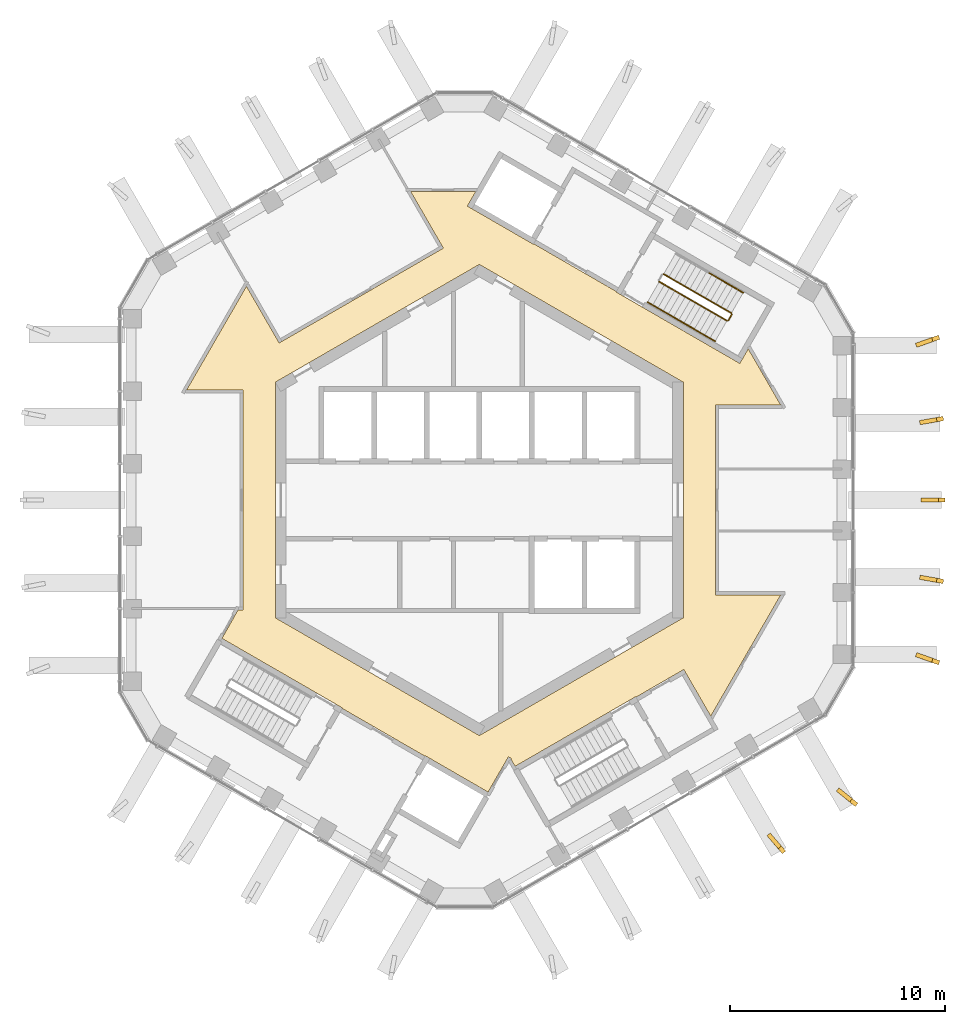
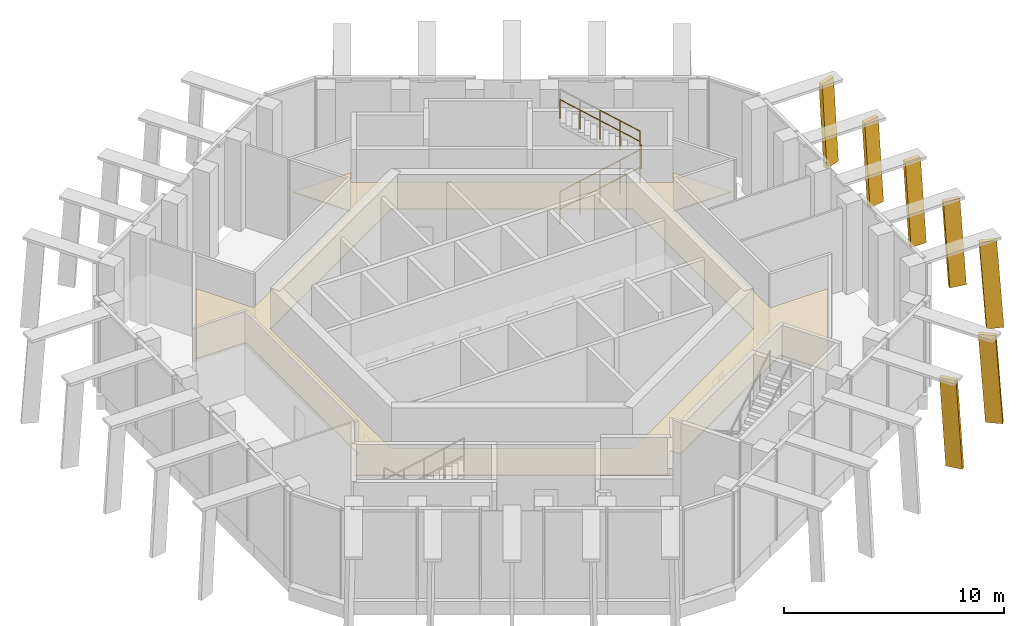
# One storey, part 16 of 17: 7 shading devices, 6 railings, 1 covering.
"""IFC4 building model written with IfcOpenShell, lengths in metres."""

import ifcopenshell
import ifcopenshell.guid

model = None  # the IFC model being written
_history = None  # IfcOwnerHistory: only IFC2X3 demands one
_inside = {}  # id of a spatial element -> (the spatial element, [elements in it])
_under = {}  # id of a project, library or spatial element -> (it, [spatial elements below it])
_declared = {}  # id of a project -> (the project, [libraries it declares])
_typed = {}  # id of a type object -> (the type object, [elements of that type])
_made_of = {}  # id of a material, layer set ... -> (it, [elements and type objects made of it])


def new_model(schema):
    """Start an empty IFC model of exactly this schema.

    Asked for "IFC4X3", IfcOpenShell would pick the latest addendum, in which some entities
    have other attributes; the version numbers below select the first issue.
    IFC2X3 requires an IfcOwnerHistory on every rooted entity: one is made here for all.
    """
    global model, _history
    if schema == "IFC4X3":
        model = ifcopenshell.file(schema_version=(4, 3, 0, 0))
    else:
        model = ifcopenshell.file(schema=schema)
    _inside.clear()
    _under.clear()
    _declared.clear()
    _typed.clear()
    _made_of.clear()
    _history = None
    if model.schema == "IFC2X3":
        org = make("IfcOrganization", Name="unknown")
        user = make(
            "IfcPersonAndOrganization",
            ThePerson=make("IfcPerson", FamilyName="unknown"),
            TheOrganization=org,
        )
        app = make(
            "IfcApplication",
            ApplicationDeveloper=org,
            Version="unknown",
            ApplicationFullName="unknown",
            ApplicationIdentifier="unknown",
        )
        _history = make(
            "IfcOwnerHistory",
            OwningUser=user,
            OwningApplication=app,
            ChangeAction="ADDED",
            CreationDate=0,
        )
    return model


def make(cls, **values):
    """One entity of the class cls with the attributes given. An attribute that is None is left unset."""
    return model.create_entity(
        cls, **{name: value for name, value in values.items() if value is not None}
    )


def rooted(cls, **values):
    """An entity with a GlobalId (a new one), such as an element, a storey or a relation."""
    return make(cls, GlobalId=ifcopenshell.guid.new(), OwnerHistory=_history, **values)


def si_unit(unit_type, name, prefix=None):
    """IfcSIUnit, for example si_unit("LENGTHUNIT", "METRE", prefix="MILLI")."""
    return make("IfcSIUnit", UnitType=unit_type, Prefix=prefix, Name=name)


def assignment(units):
    """IfcUnitAssignment: the units of a project."""
    return None if units is None else make("IfcUnitAssignment", Units=units)


def point(xyz):
    """IfcCartesianPoint."""
    return None if xyz is None else make("IfcCartesianPoint", Coordinates=xyz)


def direction(xyz):
    """IfcDirection."""
    return None if xyz is None else make("IfcDirection", DirectionRatios=xyz)


def frame(location, z_axis=None, x_axis=None):
    """IfcAxis2Placement3D, a coordinate frame: its origin and axes. An axis left out is left unset."""
    return make(
        "IfcAxis2Placement3D",
        Location=point(location),
        Axis=direction(z_axis),
        RefDirection=direction(x_axis),
    )


def frame_2d(location, x_axis=None):
    """IfcAxis2Placement2D, a coordinate frame in the plane: its origin and x axis."""
    return make(
        "IfcAxis2Placement2D", Location=point(location), RefDirection=direction(x_axis)
    )


def origin():
    """The frame at (0, 0, 0) with its axes left unset."""
    return frame((0.0, 0.0, 0.0))


def origin_2d():
    """The frame at (0, 0) in the plane with its x axis left unset."""
    return frame_2d((0.0, 0.0))


def place(relative_to, where):
    """IfcLocalPlacement: puts the frame where relative to a parent placement (None: the world)."""
    return make(
        "IfcLocalPlacement", PlacementRelTo=relative_to, RelativePlacement=where
    )


def context(
    kind, dimensions, precision=None, world=None, true_north=None, identifier=None
):
    """IfcGeometricRepresentationContext, for example the 3D "Model" context."""
    return make(
        "IfcGeometricRepresentationContext",
        ContextIdentifier=identifier,
        ContextType=kind,
        CoordinateSpaceDimension=dimensions,
        Precision=precision,
        WorldCoordinateSystem=world,
        TrueNorth=true_north,
    )


def subcontext(parent, identifier, kind, view, scale=None):
    """IfcGeometricRepresentationSubContext, for example "Body" below "Model"."""
    return make(
        "IfcGeometricRepresentationSubContext",
        ContextIdentifier=identifier,
        ContextType=kind,
        ParentContext=parent,
        TargetScale=scale,
        TargetView=view,
    )


def project(units=None, contexts=None):
    """IfcProject with its units and contexts."""
    return rooted(
        "IfcProject",
        Name="project",
        RepresentationContexts=contexts,
        UnitsInContext=assignment(units),
    )


def spatial(cls, under=None, at=None, **own):
    """A site, building, storey or space (cls), placed at a placement, below another one or the project."""
    s = rooted(cls, ObjectPlacement=at, **own)
    if under is not None:
        _under.setdefault(under.id(), (under, []))[1].append(s)
    return s


def polyline(points):
    """IfcPolyline through the points."""
    return make("IfcPolyline", Points=[point(p) for p in points])


def profile(cls, at=None, kind="AREA", **sizes):
    """A parametric profile (cls). Its sizes go by their IFC names, for example OverallWidth=200.0."""
    return make(cls, ProfileType=kind, Position=at, **sizes)


def circle(**sizes):
    """IfcCircleProfileDef."""
    return profile("IfcCircleProfileDef", **sizes)


def outline(outer, holes=None, kind="AREA"):
    """IfcArbitraryClosedProfileDef: a profile drawn as a closed curve; with holes, ...WithVoids."""
    if holes is None:
        return make("IfcArbitraryClosedProfileDef", ProfileType=kind, OuterCurve=outer)
    return make(
        "IfcArbitraryProfileDefWithVoids",
        ProfileType=kind,
        OuterCurve=outer,
        InnerCurves=holes,
    )


def extrude(swept, where, along, depth):
    """IfcExtrudedAreaSolid: the profile swept, set in the frame where, extruded along a direction by depth."""
    return make(
        "IfcExtrudedAreaSolid",
        SweptArea=swept,
        Position=where,
        ExtrudedDirection=direction(along),
        Depth=depth,
    )


def shape(context_of_items, identifier, shape_type, items):
    """IfcShapeRepresentation: the items that make up one representation, for example the "Body"."""
    return make(
        "IfcShapeRepresentation",
        ContextOfItems=context_of_items,
        RepresentationIdentifier=identifier,
        RepresentationType=shape_type,
        Items=items,
    )


def material(Name=None, Category=None):
    """IfcMaterial."""
    return make("IfcMaterial", Name=Name, Category=Category)


def layer(
    of_material, thickness, ventilated=None, Name=None, Category=None, Priority=None
):
    """IfcMaterialLayer: one layer of a wall or slab, of a material (None: an air gap)."""
    return make(
        "IfcMaterialLayer",
        Material=of_material,
        LayerThickness=thickness,
        IsVentilated=ventilated,
        Name=Name,
        Category=Category,
        Priority=Priority,
    )


def layer_set(layers, Name=None):
    """IfcMaterialLayerSet."""
    return make("IfcMaterialLayerSet", MaterialLayers=layers, LayerSetName=Name)


def made_of(thing, what):
    """Note that an element or type object is made of a material, layer set ...; save() writes the relation."""
    if what is not None:
        _made_of.setdefault(what.id(), (what, []))[1].append(thing)
    return thing


def type_object(cls, material=None, **own):
    """A type object (cls), such as IfcWallType, which elements share."""
    return made_of(rooted(cls, **own), material)


def element(
    cls,
    number,
    at=None,
    inside=None,
    cuts=None,
    type_object=None,
    material=None,
    context=None,
    identifier="Body",
    shape_type=None,
    held_by="IfcProductDefinitionShape",
    body=None,
    shapes=None,
    **own,
):
    """One element of the class cls, such as IfcWall. Its Tag is "e" and its number.

    at: its placement. inside: the storey or other place that contains it. cuts: it is an
    opening in that element (IfcRelVoidsElement). A single representation is given by context,
    identifier, shape_type and body (its items); several are given by shapes. held_by: the class
    of the entity that holds the representations. save() writes the other relations.
    """
    e = rooted(cls, Tag="e%d" % number, ObjectPlacement=at, **own)
    if body is not None:
        shapes = [shape(context, identifier, shape_type, body)]
    if shapes is not None:
        e.Representation = make(held_by, Representations=shapes)
    if inside is not None:
        _inside.setdefault(inside.id(), (inside, []))[1].append(e)
    if cuts is not None:
        rooted(
            "IfcRelVoidsElement", RelatingBuildingElement=cuts, RelatedOpeningElement=e
        )
    if type_object is not None:
        _typed.setdefault(type_object.id(), (type_object, []))[1].append(e)
    return made_of(e, material)


def aggregate(whole, parts):
    """IfcRelAggregates: a whole, such as a stair, and the parts it consists of."""
    return rooted("IfcRelAggregates", RelatingObject=whole, RelatedObjects=parts)


def save(model, path):
    """Write the relations noted so far, then the file.

    IfcRelAggregates (storeys below a building ...), IfcRelContainedInSpatialStructure (elements
    in a storey), IfcRelDefinesByType, IfcRelAssociatesMaterial and IfcRelDeclares: one each for
    every whole, place, type object, material and project.
    """
    for whole, parts in _under.values():
        aggregate(whole, parts)
    for where, things in _inside.values():
        rooted(
            "IfcRelContainedInSpatialStructure",
            RelatedElements=things,
            RelatingStructure=where,
        )
    for kind, things in _typed.values():
        rooted("IfcRelDefinesByType", RelatedObjects=things, RelatingType=kind)
    for what, things in _made_of.values():
        rooted("IfcRelAssociatesMaterial", RelatedObjects=things, RelatingMaterial=what)
    for by, libraries in _declared.values():
        rooted("IfcRelDeclares", RelatingContext=by, RelatedDefinitions=libraries)
    model.write(path)


model = new_model("IFC4")

# Units and contexts
model_context = context("Model", 3, precision=1e-05, world=origin(), true_north=direction((0.0, 1.0)))
body_context = subcontext(model_context, "Body", "Model", "MODEL_VIEW")
ifc_project = project(units=[si_unit("LENGTHUNIT", "METRE"), si_unit("AREAUNIT", "SQUARE_METRE"), si_unit("VOLUMEUNIT", "CUBIC_METRE"), si_unit("PLANEANGLEUNIT", "RADIAN"), si_unit("MASSUNIT", "GRAM", prefix="KILO")], contexts=[model_context])

# Site, building, storey
site_placement = place(None, origin())
site = spatial("IfcSite", under=ifc_project, at=site_placement, CompositionType="ELEMENT")
building_placement = place(site_placement, origin())
building = spatial("IfcBuilding", under=site, at=building_placement, Name="Ayvan Gate Tower", CompositionType="ELEMENT")
storey_placement = place(building_placement, frame((0.0, 0.0, 257.89990234375)))
storey = spatial("IfcBuildingStorey", under=building, at=storey_placement, Name="L69", CompositionType="ELEMENT", Elevation=257.89990234375)

# Covering
ifc_material_1 = material(Name="Plasterboard suspended ceiling")
ifc_layer_1 = layer(ifc_material_1, 0.050048828125)
ifc_layer_set_1 = layer_set([ifc_layer_1], Name="Plasterboard suspended ceiling")
covering_type = type_object("IfcCoveringType", Name="CT-SUSP-50", PredefinedType="CEILING", material=ifc_layer_set_1)
covering_placement = place(storey_placement, frame((0.0, 0.0, 2.7001953125)))
element("IfcCovering", 1, at=covering_placement, inside=storey, type_object=covering_type, Name="Ceiling Gallery L69", PredefinedType="CEILING", context=body_context, shape_type="SweptSolid", body=[
    extrude(outline(polyline([(-10.9951171875, -5.12158203125), (-10.9951171875, 5.12158203125), (-13.633544921875, 5.12158203125), (-10.84375, 9.95361328125), (-9.3203125, 7.31494140625), (-9.207763671875, 7.3798828125), (-1.6748046875, 11.72900390625), (-1.749755859375, 11.85888671875), (-3.1982421875, 14.367919921875), (-0.162841796875, 14.367919921875), (-0.55615234375, 13.686767578125), (-0.339599609375, 13.561767578125), (2.518310546875, 11.91162109375), (2.53076171875, 11.933349609375), (6.384521484375, 9.70849609375), (6.3720703125, 9.686767578125), (6.588623046875, 9.561767578125), (12.131103515625, 6.36181640625), (12.24609375, 6.56103515625), (12.5244140625, 7.042724609375), (14.0419921875, 4.4140625), (10.9951171875, 4.4140625), (10.9951171875, -4.4140625), (14.0419921875, -4.4140625), (10.77783203125, -10.06787109375), (9.623779296875, -8.069091796875), (9.52392578125, -7.89599609375), (7.2939453125, -9.183349609375), (7.281494140625, -9.16162109375), (1.66845703125, -12.40234375), (1.46923828125, -12.065185546875), (1.48486328125, -12.0380859375), (1.35498046875, -11.963134765625), (0.408935546875, -13.601806640625), (-2.284423828125, -12.046630859375), (-2.518310546875, -11.91162109375), (-2.53076171875, -11.933349609375), (-6.384521484375, -9.70849609375), (-6.3720703125, -9.686767578125), (-11.985107421875, -6.446044921875), (-11.23779296875, -5.12158203125), (-10.9951171875, -5.12158203125)]), holes=[polyline([(-4.66748046875, -8.27490234375), (0.0, -10.9697265625), (4.66748046875, -8.27490234375), (9.5, -5.48486328125), (9.5, 5.48486328125), (4.66748046875, 8.27490234375), (0.0, 10.9697265625), (-4.667724609375, 8.27490234375), (-9.5, 5.48486328125), (-9.5, -5.48486328125), (-4.66748046875, -8.27490234375)])]), origin(), (0.0, 0.0, 1.0), 0.0498046875),
])

# Shading devices
ifc_material_2 = material(Name="Bronze anodised aluminium", Category="aluminium")
ifc_layer_2 = layer(ifc_material_2, 0.199951171875)
ifc_layer_set_2 = layer_set([ifc_layer_2], Name="Bronze anodised aluminium")
shading_device_type = type_object("IfcShadingDeviceType", Name="Crown frame rib 800 x 200", PredefinedType="USERDEFINED", material=ifc_layer_set_2)
shading_device_1_placement = place(storey_placement, frame((13.59375, -15.86962890625, 0.0), z_axis=(-0.756438621799, -0.654064617115, 0.000296798219), x_axis=(0.654064645915, -0.756438655123, -3.4257e-08)))
element("IfcShadingDevice", 2, at=shading_device_1_placement, inside=storey, type_object=shading_device_type, Name="CROWN FRAME rib FR07.6.4", ObjectType="FIN", PredefinedType="USERDEFINED", context=body_context, shape_type="SweptSolid", body=[
    extrude(outline(polyline([(0.0, 0.0), (0.8000175689075734, -1.3552527156068805e-20), (0.49440661594364654, 4.850097886807326), (-0.30577063671537086, 4.850097831989931), (0.0, 0.0)])), origin(), (0.0, 0.0, -1.0), 0.199951171875),
])
shading_device_2_placement = place(storey_placement, frame((16.884765625, -13.77197265625, 0.0), z_axis=(-0.628447190635, -0.777852192974, 0.000307355201), x_axis=(0.777852229721, -0.628447220312, 2.9474e-08)))
element("IfcShadingDevice", 3, at=shading_device_2_placement, inside=storey, type_object=shading_device_type, Name="CROWN FRAME rib FR07.6.5", ObjectType="FIN", PredefinedType="USERDEFINED", context=body_context, shape_type="SweptSolid", body=[
    extrude(outline(polyline([(0.0, 0.0), (0.7999800195755726, 1.3552527156068805e-20), (0.4680240071629802, 4.850097871543061), (-0.33176610708307064, 4.850097918694818), (0.0, 0.0)])), origin(), (0.0, 0.0, -1.0), 0.199951171875),
])
shading_device_3_placement = place(storey_placement, frame((20.626708984375, -7.408447265625, 0.0), z_axis=(-0.333705893996, -0.942677189349, 0.000304949543), x_axis=(0.942677233185, -0.333705909499, 4.3866e-08)))
element("IfcShadingDevice", 4, at=shading_device_3_placement, inside=storey, type_object=shading_device_type, Name="CROWN FRAME rib FR07.1.1", ObjectType="FIN", PredefinedType="USERDEFINED", context=body_context, shape_type="SweptSolid", body=[
    extrude(outline(polyline([(0.0, 0.0), (0.7999683916970367, 0.0), (0.46435730519637947, 4.850097861396046), (-0.33569255766996864, 4.8500979315824795), (0.0, 0.0)])), origin(), (0.0, 0.0, -1.0), 0.199951171875),
])
shading_device_4_placement = place(storey_placement, frame((20.805419921875, -3.75341796875, 0.0), z_axis=(-0.172879977057, -0.984942852519, 0.000301339368), x_axis=(0.984942897236, -0.172879984917, -3.7332e-08)))
element("IfcShadingDevice", 5, at=shading_device_4_placement, inside=storey, type_object=shading_device_type, Name="CROWN FRAME rib FR07.1.2", ObjectType="FIN", PredefinedType="USERDEFINED", context=body_context, shape_type="SweptSolid", body=[
    extrude(outline(polyline([(0.0, 0.0), (0.800151031182824, 6.776263578034403e-21), (0.4870613547877799, 4.850097894640657), (-0.312807004792956, 4.850097834908406), (0.0, 0.0)])), origin(), (0.0, 0.0, -1.0), 0.199951171875),
])
shading_device_5_placement = place(storey_placement, frame((20.880615234375, -0.099853515625, 0.0), z_axis=(0.0, -0.999999954391, 0.000302023544), x_axis=(1.0, 0.0, 0.0)))
element("IfcShadingDevice", 6, at=shading_device_5_placement, inside=storey, type_object=shading_device_type, Name="CROWN FRAME rib FR07.1.3", ObjectType="FIN", PredefinedType="USERDEFINED", context=body_context, shape_type="SweptSolid", body=[
    extrude(outline(polyline([(0.0, 0.0), (0.800048828125, 0.0), (0.494873046875, 4.850097877458655), (-0.30517578125, 4.850097877458655), (0.0, 0.0)])), origin(), (0.0, 0.0, -1.0), 0.199951171875),
])
shading_device_6_placement = place(storey_placement, frame((20.840087890625, 3.556640625, 0.0), z_axis=(0.172879976545, -0.9849428496, 0.000311017129), x_axis=(0.984942897235, 0.172879984923, 5.4953e-08)))
element("IfcShadingDevice", 7, at=shading_device_6_placement, inside=storey, type_object=shading_device_type, Name="CROWN FRAME rib FR07.1.4", ObjectType="FIN", PredefinedType="USERDEFINED", context=body_context, shape_type="SweptSolid", body=[
    extrude(outline(polyline([(0.0, 0.0), (0.7999105666083038, 0.0), (0.48708735756403454, 4.8500978640618735), (-0.3130214665912203, 4.850097951988478), (0.0, 0.0)])), origin(), (0.0, 0.0, -1.0), 0.199951171875),
])
shading_device_7_placement = place(storey_placement, frame((20.693359375, 7.219970703125, 0.0), z_axis=(0.333705896034, -0.942677195108, 0.00028421147), x_axis=(0.942677233177, 0.333705909523, 4.0879e-08)))
element("IfcShadingDevice", 8, at=shading_device_7_placement, inside=storey, type_object=shading_device_type, Name="CROWN FRAME rib FR07.1.5", ObjectType="FIN", PredefinedType="USERDEFINED", context=body_context, shape_type="SweptSolid", body=[
    extrude(outline(polyline([(0.0, 0.0), (0.800049862866351, -1.3552527156068805e-20), (0.46433289033476327, 4.8500978331548), (-0.3356355013622707, 4.850097898561548), (0.0, 0.0)])), origin(), (0.0, 0.0, -1.0), 0.199951171875),
])

# Railings
ifc_material_3 = material(Name="Stainless steel balustrade", Category="steel")
railing_type_1 = type_object("IfcRailingType", Name="RL-GUARD-1100", PredefinedType="GUARDRAIL", material=ifc_material_3)
railing_1_placement = place(storey_placement, frame((8.381103515625, 10.16650390625, 0.1787109375)))
element("IfcRailing", 9, at=railing_1_placement, inside=storey, type_object=railing_type_1, Name="L69 STS1 stair guard 1", PredefinedType="GUARDRAIL", context=body_context, shape_type="SweptSolid", body=[
    extrude(circle(Radius=0.02392578125, at=origin_2d()), frame((0.0, 0.0, 1.076171875), z_axis=(0.730180763182, -0.421584385806, 0.537682674747), x_axis=(0.500012742938, 0.866018046521, 0.0)), (0.0, 0.0, 1.0), 4.317138671875),
    extrude(circle(Radius=0.02099609375, at=origin_2d()), origin(), (0.0, 0.0, 1.0), 1.052001953125),
    extrude(circle(Radius=0.02099609375, at=origin_2d()), frame((0.7880859375, -0.455078125, 0.580322265625)), (0.0, 0.0, 1.0), 1.052001953125),
    extrude(circle(Radius=0.02099609375, at=origin_2d()), frame((1.576171875, -0.91015625, 1.16064453125)), (0.0, 0.0, 1.0), 1.052001953125),
    extrude(circle(Radius=0.02099609375, at=origin_2d()), frame((2.3642578125, -1.364990234375, 1.740966796875)), (0.0, 0.0, 1.0), 1.052001953125),
    extrude(circle(Radius=0.02099609375, at=origin_2d()), frame((3.15234375, -1.820068359375, 2.3212890625)), (0.0, 0.0, 1.0), 1.052001953125),
])
railing_2_placement = place(storey_placement, frame((11.601806640625, 8.36474609375, 2.5)))
element("IfcRailing", 10, at=railing_2_placement, inside=storey, type_object=railing_type_1, Name="L69 STS1 stair guard 2", PredefinedType="GUARDRAIL", context=body_context, shape_type="SweptSolid", body=[
    extrude(circle(Radius=0.02392578125, at=origin_2d()), frame((0.0, 0.0, 1.076171875), z_axis=(0.499949632511, 0.866054481515, 0.0), x_axis=(-0.866054481515, 0.499949632511, 0.0)), (0.0, 0.0, 1.0), 0.31005859375),
    extrude(circle(Radius=0.02099609375, at=origin_2d()), origin(), (0.0, 0.0, 1.0), 1.052001953125),
    extrude(circle(Radius=0.02099609375, at=origin_2d()), frame((0.155029296875, 0.2685546875, 0.0)), (0.0, 0.0, 1.0), 1.052001953125),
])
railing_3_placement = place(storey_placement, frame((11.738525390625, 8.70166015625, 2.6787109375)))
element("IfcRailing", 11, at=railing_3_placement, inside=storey, type_object=railing_type_1, Name="L69 STS1 stair guard 3", PredefinedType="GUARDRAIL", context=body_context, shape_type="SweptSolid", body=[
    extrude(circle(Radius=0.02392578125, at=origin_2d()), frame((0.0, 0.0, 1.076171875), z_axis=(-0.730198170753, 0.42153788451, 0.537695493148), x_axis=(-0.499962438169, -0.866047089031, 0.0)), (0.0, 0.0, 1.0), 4.317138671875),
    extrude(circle(Radius=0.02099609375, at=origin_2d()), origin(), (0.0, 0.0, 1.0), 1.052001953125),
    extrude(circle(Radius=0.02099609375, at=origin_2d()), frame((-0.7880859375, 0.455078125, 0.580322265625)), (0.0, 0.0, 1.0), 1.052001953125),
    extrude(circle(Radius=0.02099609375, at=origin_2d()), frame((-1.576171875, 0.909912109375, 1.16064453125)), (0.0, 0.0, 1.0), 1.052001953125),
    extrude(circle(Radius=0.02099609375, at=origin_2d()), frame((-2.3642578125, 1.36474609375, 1.740966796875)), (0.0, 0.0, 1.0), 1.052001953125),
    extrude(circle(Radius=0.02099609375, at=origin_2d()), frame((-3.15234375, 1.81982421875, 2.3212890625)), (0.0, 0.0, 1.0), 1.052001953125),
])
railing_type_2 = type_object("IfcRailingType", Name="RL-HANDRAIL-900", PredefinedType="HANDRAIL", material=ifc_material_3)
railing_4_placement = place(storey_placement, frame((7.8310546875, 9.2138671875, 0.1787109375)))
element("IfcRailing", 12, at=railing_4_placement, inside=storey, type_object=railing_type_2, Name="L69 STS1 stair handrail 1", PredefinedType="HANDRAIL", context=body_context, shape_type="SweptSolid", body=[
    extrude(circle(Radius=0.02392578125, at=origin_2d()), frame((0.0, 0.0, 0.8759765625), z_axis=(0.730198170753, -0.42153788451, 0.537695493148), x_axis=(0.499962438169, 0.866047089031, 0.0)), (0.0, 0.0, 1.0), 2.158447265625),
    extrude(circle(Radius=0.02099609375, at=origin_2d()), origin(), (0.0, 0.0, 1.0), 0.851806640625),
    extrude(circle(Radius=0.02099609375, at=origin_2d()), frame((0.7880859375, -0.455078125, 0.580322265625)), (0.0, 0.0, 1.0), 0.851806640625),
    extrude(circle(Radius=0.02099609375, at=origin_2d()), frame((1.576171875, -0.909912109375, 1.16064453125)), (0.0, 0.0, 1.0), 0.851806640625),
])
railing_5_placement = place(storey_placement, frame((9.4072265625, 8.303955078125, 1.33935546875)))
element("IfcRailing", 13, at=railing_5_placement, inside=storey, type_object=railing_type_2, Name="L69 STS1 stair handrail 2", PredefinedType="HANDRAIL", context=body_context, shape_type="SweptSolid", body=[
    extrude(circle(Radius=0.02392578125, at=origin_2d()), frame((0.0, 0.0, 0.8759765625), z_axis=(0.730163354521, -0.421630883776, 0.537669855544), x_axis=(0.500063042646, 0.865989003036, 0.0)), (0.0, 0.0, 1.0), 2.15869140625),
    extrude(circle(Radius=0.02099609375, at=origin_2d()), origin(), (0.0, 0.0, 1.0), 0.851806640625),
    extrude(circle(Radius=0.02099609375, at=origin_2d()), frame((0.7880859375, -0.455078125, 0.580322265625)), (0.0, 0.0, 1.0), 0.851806640625),
    extrude(circle(Radius=0.02099609375, at=origin_2d()), frame((1.576171875, -0.91015625, 1.16064453125)), (0.0, 0.0, 1.0), 0.851806640625),
])
railing_6_placement = place(storey_placement, frame((12.288330078125, 9.654296875, 2.6787109375)))
element("IfcRailing", 14, at=railing_6_placement, inside=storey, type_object=railing_type_2, Name="L69 STS1 stair handrail 3", PredefinedType="HANDRAIL", context=body_context, shape_type="SweptSolid", body=[
    extrude(circle(Radius=0.02392578125, at=origin_2d()), frame((0.0, 0.0, 0.8759765625), z_axis=(-0.730198170753, 0.42153788451, 0.537695493148), x_axis=(-0.499962438169, -0.866047089031, 0.0)), (0.0, 0.0, 1.0), 2.158447265625),
    extrude(circle(Radius=0.02099609375, at=origin_2d()), origin(), (0.0, 0.0, 1.0), 0.851806640625),
    extrude(circle(Radius=0.02099609375, at=origin_2d()), frame((-0.7880859375, 0.455078125, 0.580322265625)), (0.0, 0.0, 1.0), 0.851806640625),
    extrude(circle(Radius=0.02099609375, at=origin_2d()), frame((-1.576171875, 0.909912109375, 1.16064453125)), (0.0, 0.0, 1.0), 0.851806640625),
])

save(model, "model.ifc")
